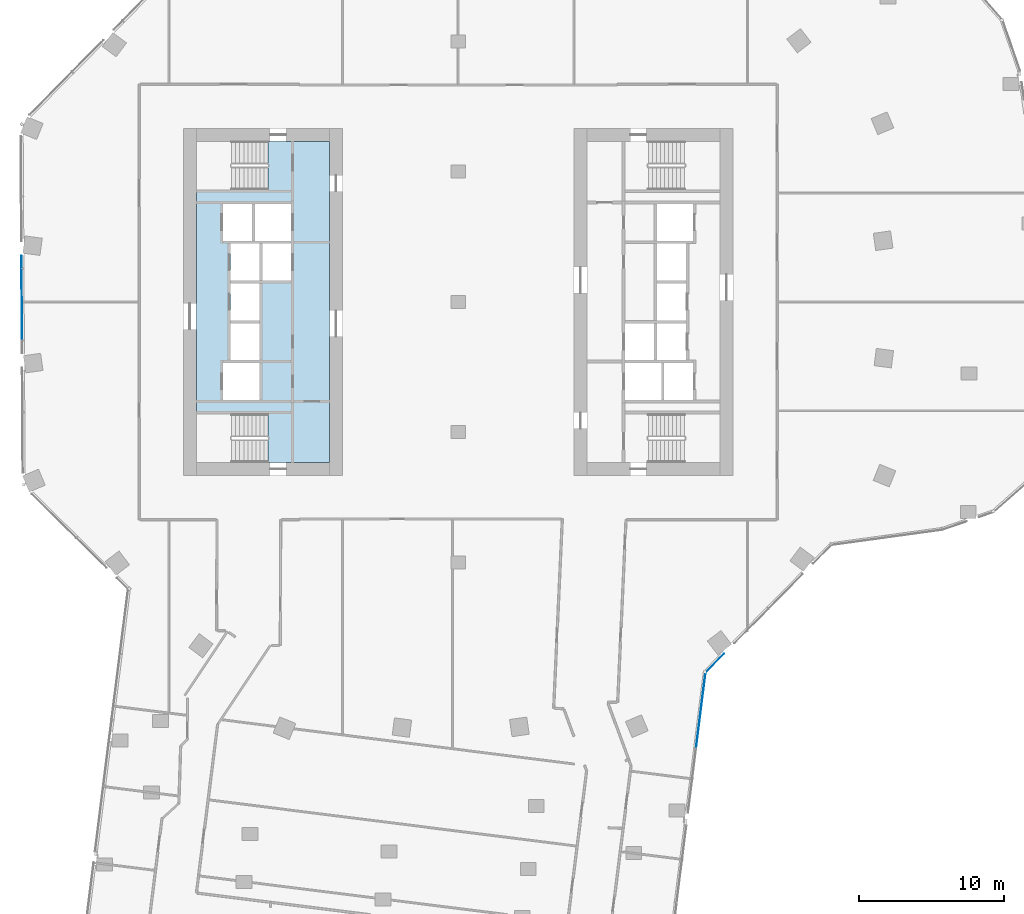
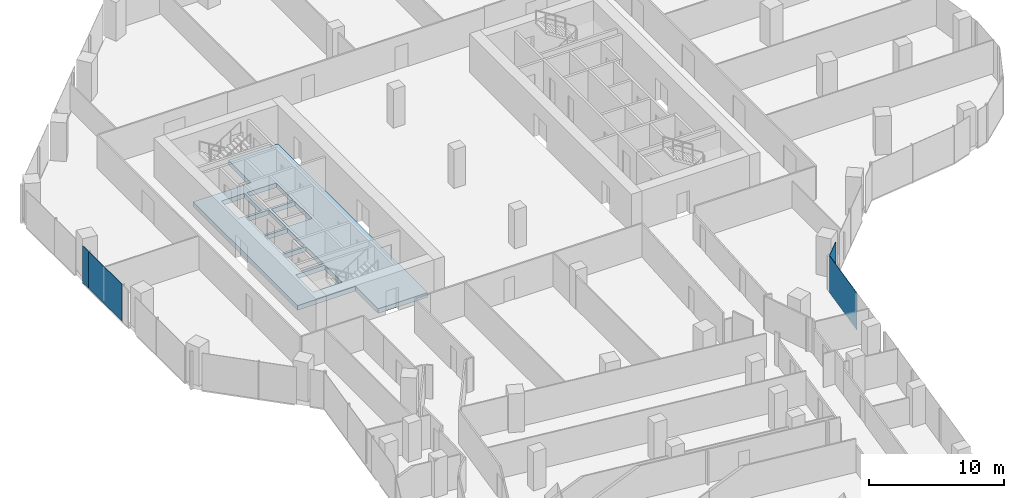
# One storey, part 14 of 27: 4 plates, 1 slab, 3 elements without a shape of their own.
"""IFC4 building model written with IfcOpenShell, lengths in metres."""

from ifc_helpers import new_model, si_unit, direction, frame, origin, origin_2d, place, context, subcontext, project, spatial, polyline, rectangle, outline, extrude, material, layer, layer_set, type_object, element, aggregate, save


model = new_model("IFC4")

# Units and contexts
model_context = context("Model", 3, precision=1e-05, world=origin(), true_north=direction((0.0, 1.0)))
body_context = subcontext(model_context, "Body", "Model", "MODEL_VIEW")
ifc_project = project(units=[si_unit("LENGTHUNIT", "METRE"), si_unit("AREAUNIT", "SQUARE_METRE"), si_unit("VOLUMEUNIT", "CUBIC_METRE"), si_unit("PLANEANGLEUNIT", "RADIAN"), si_unit("MASSUNIT", "GRAM", prefix="KILO")], contexts=[model_context])

# Site, building, storey
site_placement = place(None, origin())
site = spatial("IfcSite", under=ifc_project, at=site_placement, CompositionType="ELEMENT")
building_placement = place(site_placement, origin())
building = spatial("IfcBuilding", under=site, at=building_placement, Name="Orlundy Tower", CompositionType="ELEMENT")
storey_placement = place(building_placement, frame((0.0, 0.0, 199.10009765625)))
storey = spatial("IfcBuildingStorey", under=building, at=storey_placement, Name="L52", CompositionType="ELEMENT", Elevation=199.10009765625)

# Curtain wall, plates
ifc_material_1 = material(Name="Aluminium bronze anodised", Category="aluminium")
curtain_wall_type = type_object("IfcCurtainWallType", Name="CW1 wall", PredefinedType="NOTDEFINED", material=ifc_material_1)
curtain_wall_1_placement = place(storey_placement, origin())
curtain_wall_1 = element("IfcCurtainWall", 1, at=curtain_wall_1_placement, inside=storey, type_object=curtain_wall_type, Name="CW1 run 02", PredefinedType="NOTDEFINED")
ifc_material_2 = material(Name="Tinted glass", Category="glass")
ifc_layer_1 = layer(ifc_material_2, 0.031982421875)
ifc_layer_set_1 = layer_set([ifc_layer_1], Name="CW1 glass panel 32")
plate_type = type_object("IfcPlateType", Name="CW1 glass panel 32", PredefinedType="CURTAIN_PANEL", material=ifc_layer_set_1)
plate_1_placement = place(storey_placement, frame((-30.16357421875, -0.175537109375, -0.300048828125), z_axis=(0.0, 0.0, 1.0), x_axis=(-0.005834206419, 0.999982980873, 0.0)))
plate_1 = element("IfcPlate", 2, at=plate_1_placement, type_object=plate_type, Name="CW1 panel", PredefinedType="CURTAIN_PANEL", context=body_context, shape_type="SweptSolid", body=[
    extrude(rectangle(XDim=4.920654296875, YDim=0.031982421875, at=origin_2d()), origin(), (0.0, 0.0, 1.0), 3.35009765625),
])
plate_2_placement = place(storey_placement, frame((-30.1806640625, 2.758056640625, -0.300048828125), z_axis=(0.0, 0.0, 1.0), x_axis=(-0.005834206419, 0.999982980873, 0.0)))
plate_2 = element("IfcPlate", 3, at=plate_2_placement, type_object=plate_type, Name="CW1 panel", PredefinedType="CURTAIN_PANEL", context=body_context, shape_type="SweptSolid", body=[
    extrude(rectangle(XDim=0.8466796875, YDim=0.031982421875, at=origin_2d()), origin(), (0.0, 0.0, 1.0), 3.35009765625),
])
aggregate(curtain_wall_1, [plate_1, plate_2])

# Curtain wall, plate
curtain_wall_2_placement = place(storey_placement, origin())
curtain_wall_2 = element("IfcCurtainWall", 4, at=curtain_wall_2_placement, inside=storey, type_object=curtain_wall_type, Name="CW1 run 017", PredefinedType="NOTDEFINED")
plate_3_placement = place(storey_placement, frame((17.739013671875, -24.9619140625, -0.300048828125), z_axis=(0.0, 0.0, 1.0), x_axis=(-0.702970467781, -0.711219038994, 0.0)))
plate_3 = element("IfcPlate", 5, at=plate_3_placement, type_object=plate_type, Name="CW1 panel", PredefinedType="CURTAIN_PANEL", context=body_context, shape_type="SweptSolid", body=[
    extrude(rectangle(XDim=1.810302734375, YDim=0.031982421875, at=origin_2d()), origin(), (0.0, 0.0, 1.0), 3.35009765625),
])
aggregate(curtain_wall_2, [plate_3])

curtain_wall_3_placement = place(storey_placement, origin())
curtain_wall_3 = element("IfcCurtainWall", 6, at=curtain_wall_3_placement, inside=storey, type_object=curtain_wall_type, Name="CW1 run 018", PredefinedType="NOTDEFINED")
plate_4_placement = place(storey_placement, frame((16.773681640625, -28.22314453125, -0.300048828125), z_axis=(0.0, 0.0, 1.0), x_axis=(-0.124742379758, -0.992189164773, 0.0)))
plate_4 = element("IfcPlate", 7, at=plate_4_placement, type_object=plate_type, Name="CW1 panel", PredefinedType="CURTAIN_PANEL", context=body_context, shape_type="SweptSolid", body=[
    extrude(rectangle(XDim=5.27587890625, YDim=0.031982421875, at=origin_2d()), origin(), (0.0, 0.0, 1.0), 3.35009765625),
])
aggregate(curtain_wall_3, [plate_4])

# Slab
ifc_material_3 = material(Name="Concrete C50/60", Category="concrete")
ifc_layer_2 = layer(ifc_material_3, 0.419921875)
ifc_layer_set_2 = layer_set([ifc_layer_2], Name="Core Floor Slab 420")
slab_type = type_object("IfcSlabType", Name="Core Floor Slab 420", PredefinedType="FLOOR", material=ifc_layer_set_2)
slab_placement = place(storey_placement, frame((0.0, 0.0, -0.420166015625)))
element("IfcSlab", 8, at=slab_placement, inside=storey, type_object=slab_type, Name="Core floor W40", PredefinedType="FLOOR", context=body_context, shape_type="SweptSolid", body=[
    extrude(outline(polyline([(-13.14501953125, -11.10009765625), (-13.14501953125, -7.75), (-18.10009765625, -7.75), (-18.10009765625, 7.75), (-13.14501953125, 7.75), (-13.14501953125, 11.10009765625), (-8.89990234375, 11.10009765625), (-8.89990234375, -11.10009765625), (-13.14501953125, -11.10009765625)]), holes=[polyline([(-13.739990234375, -4.22509765625), (-16.239990234375, -4.22509765625), (-16.239990234375, -6.77490234375), (-13.739990234375, -6.77490234375), (-13.739990234375, -4.22509765625)]), polyline([(-13.739990234375, -4.02490234375), (-13.739990234375, -1.47509765625), (-15.739990234375, -1.47509765625), (-15.739990234375, -4.02490234375), (-13.739990234375, -4.02490234375)]), polyline([(-15.739990234375, -1.27490234375), (-13.739990234375, -1.27490234375), (-13.739990234375, 1.27490234375), (-15.739990234375, 1.27490234375), (-15.739990234375, -1.27490234375)]), polyline([(-13.5400390625, 4.02490234375), (-13.5400390625, 1.47509765625), (-11.5400390625, 1.47509765625), (-11.5400390625, 4.02490234375), (-13.5400390625, 4.02490234375)]), polyline([(-13.739990234375, 4.02490234375), (-15.739990234375, 4.02490234375), (-15.739990234375, 1.47509765625), (-13.739990234375, 1.47509765625), (-13.739990234375, 4.02490234375)]), polyline([(-11.5400390625, 4.22509765625), (-11.5400390625, 6.77490234375), (-14.0400390625, 6.77490234375), (-14.0400390625, 4.22509765625), (-11.5400390625, 4.22509765625)]), polyline([(-16.239990234375, 4.22509765625), (-14.239990234375, 4.22509765625), (-14.239990234375, 6.77490234375), (-16.239990234375, 6.77490234375), (-16.239990234375, 4.22509765625)])]), origin(), (0.0, 0.0, 1.0), 0.420166015625),
])

save(model, "model.ifc")
